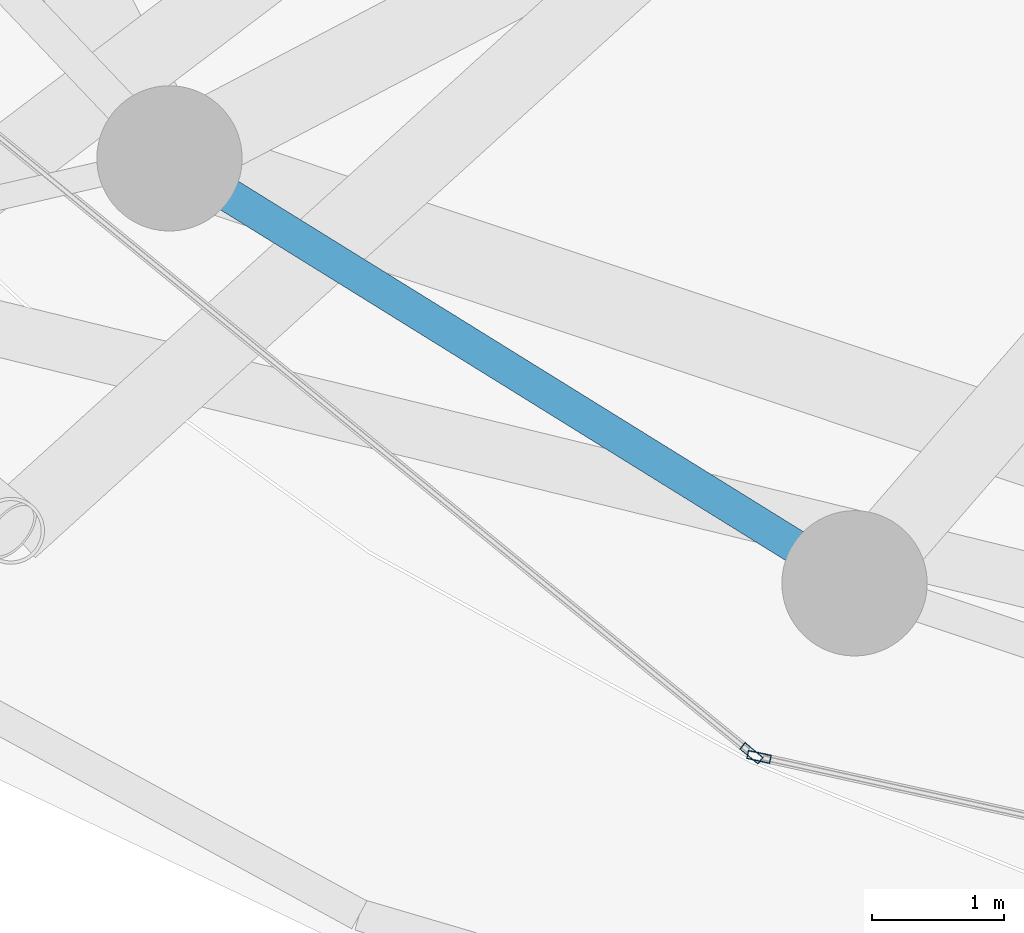
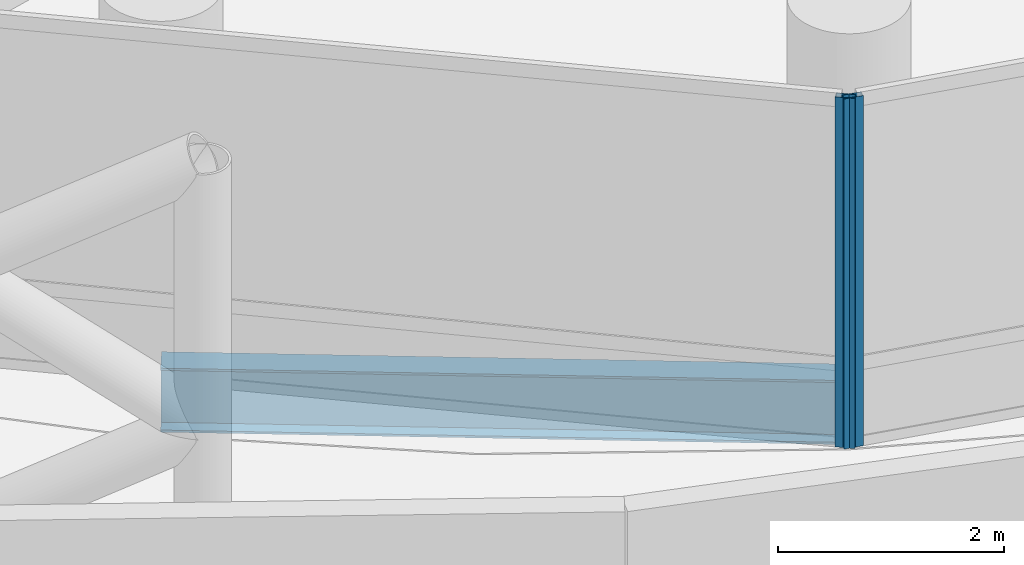
# One storey, part 4 of 37: 2 members, 1 beam, 2 elements without a shape of their own.
"""IFC4 building model written with IfcOpenShell, lengths in metres."""

import ifcopenshell
import ifcopenshell.guid

model = None  # the IFC model being written
_history = None  # IfcOwnerHistory: only IFC2X3 demands one
_inside = {}  # id of a spatial element -> (the spatial element, [elements in it])
_under = {}  # id of a project, library or spatial element -> (it, [spatial elements below it])
_declared = {}  # id of a project -> (the project, [libraries it declares])
_typed = {}  # id of a type object -> (the type object, [elements of that type])
_made_of = {}  # id of a material, layer set ... -> (it, [elements and type objects made of it])


def new_model(schema):
    """Start an empty IFC model of exactly this schema.

    Asked for "IFC4X3", IfcOpenShell would pick the latest addendum, in which some entities
    have other attributes; the version numbers below select the first issue.
    IFC2X3 requires an IfcOwnerHistory on every rooted entity: one is made here for all.
    """
    global model, _history
    if schema == "IFC4X3":
        model = ifcopenshell.file(schema_version=(4, 3, 0, 0))
    else:
        model = ifcopenshell.file(schema=schema)
    _inside.clear()
    _under.clear()
    _declared.clear()
    _typed.clear()
    _made_of.clear()
    _history = None
    if model.schema == "IFC2X3":
        org = make("IfcOrganization", Name="unknown")
        user = make(
            "IfcPersonAndOrganization",
            ThePerson=make("IfcPerson", FamilyName="unknown"),
            TheOrganization=org,
        )
        app = make(
            "IfcApplication",
            ApplicationDeveloper=org,
            Version="unknown",
            ApplicationFullName="unknown",
            ApplicationIdentifier="unknown",
        )
        _history = make(
            "IfcOwnerHistory",
            OwningUser=user,
            OwningApplication=app,
            ChangeAction="ADDED",
            CreationDate=0,
        )
    return model


def make(cls, **values):
    """One entity of the class cls with the attributes given. An attribute that is None is left unset."""
    return model.create_entity(
        cls, **{name: value for name, value in values.items() if value is not None}
    )


def rooted(cls, **values):
    """An entity with a GlobalId (a new one), such as an element, a storey or a relation."""
    return make(cls, GlobalId=ifcopenshell.guid.new(), OwnerHistory=_history, **values)


def si_unit(unit_type, name, prefix=None):
    """IfcSIUnit, for example si_unit("LENGTHUNIT", "METRE", prefix="MILLI")."""
    return make("IfcSIUnit", UnitType=unit_type, Prefix=prefix, Name=name)


def assignment(units):
    """IfcUnitAssignment: the units of a project."""
    return None if units is None else make("IfcUnitAssignment", Units=units)


def point(xyz):
    """IfcCartesianPoint."""
    return None if xyz is None else make("IfcCartesianPoint", Coordinates=xyz)


def direction(xyz):
    """IfcDirection."""
    return None if xyz is None else make("IfcDirection", DirectionRatios=xyz)


def frame(location, z_axis=None, x_axis=None):
    """IfcAxis2Placement3D, a coordinate frame: its origin and axes. An axis left out is left unset."""
    return make(
        "IfcAxis2Placement3D",
        Location=point(location),
        Axis=direction(z_axis),
        RefDirection=direction(x_axis),
    )


def frame_2d(location, x_axis=None):
    """IfcAxis2Placement2D, a coordinate frame in the plane: its origin and x axis."""
    return make(
        "IfcAxis2Placement2D", Location=point(location), RefDirection=direction(x_axis)
    )


def origin():
    """The frame at (0, 0, 0) with its axes left unset."""
    return frame((0.0, 0.0, 0.0))


def origin_2d():
    """The frame at (0, 0) in the plane with its x axis left unset."""
    return frame_2d((0.0, 0.0))


def place(relative_to, where):
    """IfcLocalPlacement: puts the frame where relative to a parent placement (None: the world)."""
    return make(
        "IfcLocalPlacement", PlacementRelTo=relative_to, RelativePlacement=where
    )


def context(
    kind, dimensions, precision=None, world=None, true_north=None, identifier=None
):
    """IfcGeometricRepresentationContext, for example the 3D "Model" context."""
    return make(
        "IfcGeometricRepresentationContext",
        ContextIdentifier=identifier,
        ContextType=kind,
        CoordinateSpaceDimension=dimensions,
        Precision=precision,
        WorldCoordinateSystem=world,
        TrueNorth=true_north,
    )


def subcontext(parent, identifier, kind, view, scale=None):
    """IfcGeometricRepresentationSubContext, for example "Body" below "Model"."""
    return make(
        "IfcGeometricRepresentationSubContext",
        ContextIdentifier=identifier,
        ContextType=kind,
        ParentContext=parent,
        TargetScale=scale,
        TargetView=view,
    )


def project(units=None, contexts=None):
    """IfcProject with its units and contexts."""
    return rooted(
        "IfcProject",
        Name="project",
        RepresentationContexts=contexts,
        UnitsInContext=assignment(units),
    )


def spatial(cls, under=None, at=None, **own):
    """A site, building, storey or space (cls), placed at a placement, below another one or the project."""
    s = rooted(cls, ObjectPlacement=at, **own)
    if under is not None:
        _under.setdefault(under.id(), (under, []))[1].append(s)
    return s


def profile(cls, at=None, kind="AREA", **sizes):
    """A parametric profile (cls). Its sizes go by their IFC names, for example OverallWidth=200.0."""
    return make(cls, ProfileType=kind, Position=at, **sizes)


def hollow_rectangle(**sizes):
    """IfcRectangleHollowProfileDef."""
    return profile("IfcRectangleHollowProfileDef", **sizes)


def i_section(**sizes):
    """IfcIShapeProfileDef."""
    return profile("IfcIShapeProfileDef", **sizes)


def extrude(swept, where, along, depth):
    """IfcExtrudedAreaSolid: the profile swept, set in the frame where, extruded along a direction by depth."""
    return make(
        "IfcExtrudedAreaSolid",
        SweptArea=swept,
        Position=where,
        ExtrudedDirection=direction(along),
        Depth=depth,
    )


def shape(context_of_items, identifier, shape_type, items):
    """IfcShapeRepresentation: the items that make up one representation, for example the "Body"."""
    return make(
        "IfcShapeRepresentation",
        ContextOfItems=context_of_items,
        RepresentationIdentifier=identifier,
        RepresentationType=shape_type,
        Items=items,
    )


def material(Name=None, Category=None):
    """IfcMaterial."""
    return make("IfcMaterial", Name=Name, Category=Category)


def layer(
    of_material, thickness, ventilated=None, Name=None, Category=None, Priority=None
):
    """IfcMaterialLayer: one layer of a wall or slab, of a material (None: an air gap)."""
    return make(
        "IfcMaterialLayer",
        Material=of_material,
        LayerThickness=thickness,
        IsVentilated=ventilated,
        Name=Name,
        Category=Category,
        Priority=Priority,
    )


def layer_set(layers, Name=None):
    """IfcMaterialLayerSet."""
    return make("IfcMaterialLayerSet", MaterialLayers=layers, LayerSetName=Name)


def material_profile(
    of_material, cross_section, Name=None, Category=None, Priority=None
):
    """IfcMaterialProfile: a cross section and its material."""
    return make(
        "IfcMaterialProfile",
        Name=Name,
        Material=of_material,
        Profile=cross_section,
        Priority=Priority,
        Category=Category,
    )


def profile_set(profiles, Name=None, composite=None):
    """IfcMaterialProfileSet."""
    return make(
        "IfcMaterialProfileSet",
        Name=Name,
        MaterialProfiles=profiles,
        CompositeProfile=composite,
    )


def made_of(thing, what):
    """Note that an element or type object is made of a material, layer set ...; save() writes the relation."""
    if what is not None:
        _made_of.setdefault(what.id(), (what, []))[1].append(thing)
    return thing


def type_object(cls, material=None, **own):
    """A type object (cls), such as IfcWallType, which elements share."""
    return made_of(rooted(cls, **own), material)


def element(
    cls,
    number,
    at=None,
    inside=None,
    cuts=None,
    type_object=None,
    material=None,
    context=None,
    identifier="Body",
    shape_type=None,
    held_by="IfcProductDefinitionShape",
    body=None,
    shapes=None,
    **own,
):
    """One element of the class cls, such as IfcWall. Its Tag is "e" and its number.

    at: its placement. inside: the storey or other place that contains it. cuts: it is an
    opening in that element (IfcRelVoidsElement). A single representation is given by context,
    identifier, shape_type and body (its items); several are given by shapes. held_by: the class
    of the entity that holds the representations. save() writes the other relations.
    """
    e = rooted(cls, Tag="e%d" % number, ObjectPlacement=at, **own)
    if body is not None:
        shapes = [shape(context, identifier, shape_type, body)]
    if shapes is not None:
        e.Representation = make(held_by, Representations=shapes)
    if inside is not None:
        _inside.setdefault(inside.id(), (inside, []))[1].append(e)
    if cuts is not None:
        rooted(
            "IfcRelVoidsElement", RelatingBuildingElement=cuts, RelatedOpeningElement=e
        )
    if type_object is not None:
        _typed.setdefault(type_object.id(), (type_object, []))[1].append(e)
    return made_of(e, material)


def aggregate(whole, parts):
    """IfcRelAggregates: a whole, such as a stair, and the parts it consists of."""
    return rooted("IfcRelAggregates", RelatingObject=whole, RelatedObjects=parts)


def save(model, path):
    """Write the relations noted so far, then the file.

    IfcRelAggregates (storeys below a building ...), IfcRelContainedInSpatialStructure (elements
    in a storey), IfcRelDefinesByType, IfcRelAssociatesMaterial and IfcRelDeclares: one each for
    every whole, place, type object, material and project.
    """
    for whole, parts in _under.values():
        aggregate(whole, parts)
    for where, things in _inside.values():
        rooted(
            "IfcRelContainedInSpatialStructure",
            RelatedElements=things,
            RelatingStructure=where,
        )
    for kind, things in _typed.values():
        rooted("IfcRelDefinesByType", RelatedObjects=things, RelatingType=kind)
    for what, things in _made_of.values():
        rooted("IfcRelAssociatesMaterial", RelatedObjects=things, RelatingMaterial=what)
    for by, libraries in _declared.values():
        rooted("IfcRelDeclares", RelatingContext=by, RelatedDefinitions=libraries)
    model.write(path)


model = new_model("IFC4")

# Units and contexts
model_context = context("Model", 3, precision=1e-05, world=origin(), true_north=direction((0.0, 1.0)))
body_context = subcontext(model_context, "Body", "Model", "MODEL_VIEW")
ifc_project = project(units=[si_unit("LENGTHUNIT", "METRE"), si_unit("AREAUNIT", "SQUARE_METRE"), si_unit("VOLUMEUNIT", "CUBIC_METRE"), si_unit("PLANEANGLEUNIT", "RADIAN"), si_unit("MASSUNIT", "GRAM", prefix="KILO")], contexts=[model_context])

# Site, building, storey
site_placement = place(None, origin())
site = spatial("IfcSite", under=ifc_project, at=site_placement, CompositionType="ELEMENT")
building_placement = place(site_placement, origin())
building = spatial("IfcBuilding", under=site, at=building_placement, Name="Nuhasar Tower", CompositionType="ELEMENT")
storey_placement = place(building_placement, frame((0.0, 0.0, 21.0)))
storey = spatial("IfcBuildingStorey", under=building, at=storey_placement, Name="L04", CompositionType="ELEMENT", Elevation=21.0)

# Beam
ifc_material_1 = material(Name="Steel S355", Category="steel")
ifc_material_profile_1 = material_profile(ifc_material_1, i_section(OverallWidth=0.256103515625, OverallDepth=0.693115234375, WebThickness=0.014404296875, FlangeThickness=0.023681640625, at=origin_2d()), Name="W27X114")
ifc_profile_set_1 = profile_set([ifc_material_profile_1], Name="Steel S355")
beam_type = type_object("IfcBeamType", Name="BM-RING-W27X114", PredefinedType="SPANDREL", material=ifc_profile_set_1)
beam_placement = place(storey_placement, frame((21.287109375, 12.48095703125, -0.60693359375), z_axis=(0.849795216549, -0.527112976439, 0.0), x_axis=(0.527112976439, 0.849795216549, 0.0)))
element("IfcBeam", 1, at=beam_placement, inside=storey, type_object=beam_type, Name="L04 Perimeter Ring Spandrel 16", PredefinedType="SPANDREL", context=body_context, shape_type="SweptSolid", body=[
    extrude(i_section(OverallWidth=0.256103515625, OverallDepth=0.693115234375, WebThickness=0.014404296875, FlangeThickness=0.023681640625, at=origin_2d()), origin(), (0.0, 0.0, 1.0), 6.10498046875),
])

# Curtain wall, member
ifc_material_2 = material(Name="Aluminium 6063-T6", Category="aluminium")
ifc_layer = layer(ifc_material_2, 0.199951171875)
ifc_layer_set = layer_set([ifc_layer], Name="Aluminium 6063-T6")
curtain_wall_type = type_object("IfcCurtainWallType", Name="CW-Z1-OFF", PredefinedType="NOTDEFINED", material=ifc_layer_set)
curtain_wall_1_placement = place(storey_placement, origin())
curtain_wall_1 = element("IfcCurtainWall", 2, at=curtain_wall_1_placement, inside=storey, type_object=curtain_wall_type, Name="L04 Unitised Curtain Wall 08", PredefinedType="NOTDEFINED")
ifc_material_profile_2 = material_profile(ifc_material_2, hollow_rectangle(XDim=0.06494140625, YDim=0.179931640625, WallThickness=0.0048828125, at=origin_2d()), Name="CWM-2")
ifc_profile_set_2 = profile_set([ifc_material_profile_2], Name="Aluminium 6063-T6")
member_type = type_object("IfcMemberType", Name="CW-MUL-S2", PredefinedType="MULLION", material=ifc_profile_set_2)
member_1_placement = place(storey_placement, frame((25.69482421875, 7.9755859375, 0.0), z_axis=(0.0, 0.0, 1.0), x_axis=(0.633744593376, 0.773542364946, 0.0)))
member_1 = element("IfcMember", 3, at=member_1_placement, type_object=member_type, Name="CW-Z1 mullion 2", PredefinedType="MULLION", context=body_context, shape_type="SweptSolid", body=[
    extrude(hollow_rectangle(XDim=0.06494140625, YDim=0.179931640625, WallThickness=0.0048828125, at=origin_2d()), origin(), (0.0, 0.0, 1.0), 3.7900390625),
])
aggregate(curtain_wall_1, [member_1])

curtain_wall_2_placement = place(storey_placement, origin())
curtain_wall_2 = element("IfcCurtainWall", 4, at=curtain_wall_2_placement, inside=storey, type_object=curtain_wall_type, Name="L04 Unitised Curtain Wall 09", PredefinedType="NOTDEFINED")
member_2_placement = place(storey_placement, frame((25.751708984375, 7.947998046875, 0.0), z_axis=(0.0, 0.0, 1.0), x_axis=(0.214398737637, 0.976746221544, 0.0)))
member_2 = element("IfcMember", 5, at=member_2_placement, type_object=member_type, Name="CW-Z1 mullion 1", PredefinedType="MULLION", context=body_context, shape_type="SweptSolid", body=[
    extrude(hollow_rectangle(XDim=0.06494140625, YDim=0.179931640625, WallThickness=0.0048828125, at=origin_2d()), origin(), (0.0, 0.0, 1.0), 3.7900390625),
])
aggregate(curtain_wall_2, [member_2])

save(model, "model.ifc")
